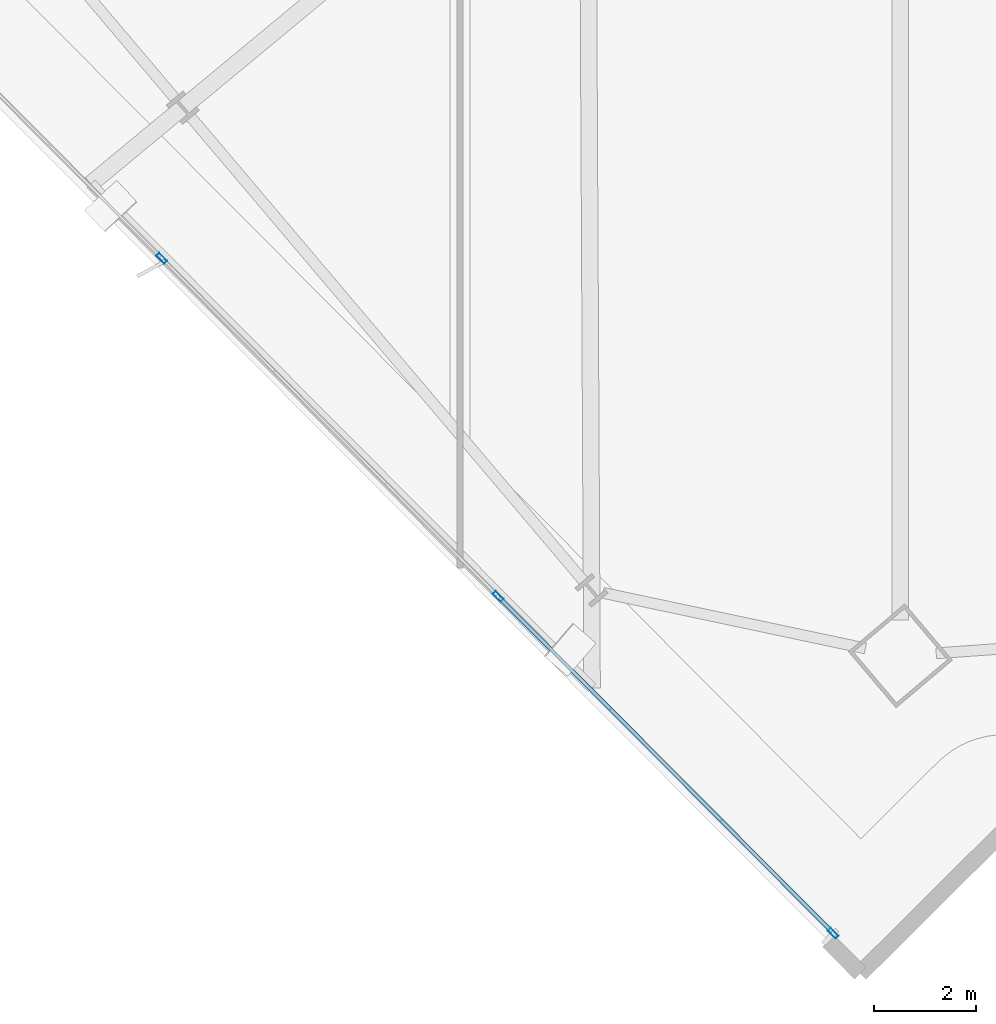
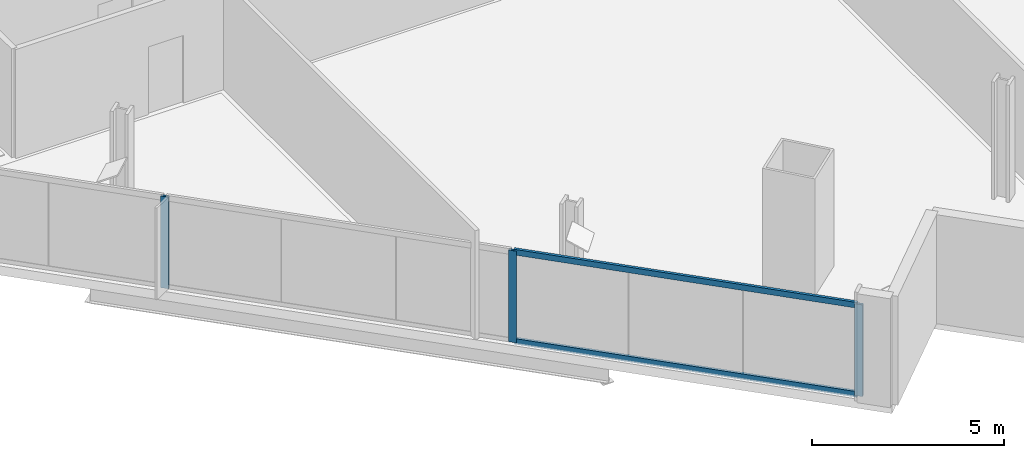
# One storey, part 2 of 32: 5 members, 1 element without a shape of its own.
"""IFC4 building model written with IfcOpenShell, lengths in metres."""

from ifc_helpers import new_model, si_unit, direction, frame, origin, origin_2d, place, context, subcontext, project, spatial, hollow_rectangle, extrude, material, material_profile, profile_set, type_object, element, aggregate, save


model = new_model("IFC4")

# Units and contexts
model_context = context("Model", 3, precision=1e-05, world=origin(), true_north=direction((0.0, 1.0)))
body_context = subcontext(model_context, "Body", "Model", "MODEL_VIEW")
ifc_project = project(units=[si_unit("LENGTHUNIT", "METRE"), si_unit("AREAUNIT", "SQUARE_METRE"), si_unit("VOLUMEUNIT", "CUBIC_METRE"), si_unit("PLANEANGLEUNIT", "RADIAN"), si_unit("MASSUNIT", "GRAM", prefix="KILO")], contexts=[model_context])

# Site, building, storey
site_placement = place(None, origin())
site = spatial("IfcSite", under=ifc_project, at=site_placement, CompositionType="ELEMENT")
building_placement = place(site_placement, origin())
building = spatial("IfcBuilding", under=site, at=building_placement, Name="Haldenkirk Collegiate Tower", CompositionType="ELEMENT")
storey_placement = place(building_placement, frame((0.0, 0.0, 178.199951171875)))
storey = spatial("IfcBuildingStorey", under=building, at=storey_placement, Name="L44", CompositionType="ELEMENT", Elevation=178.199951171875)

# Curtain wall, members
ifc_material = material(Name="Anodised architectural bronze aluminium", Category="aluminium")
curtain_wall_type = type_object("IfcCurtainWallType", Name="CW-SYS1-CONVEX-LOW", PredefinedType="USERDEFINED", material=ifc_material)
curtain_wall_placement = place(storey_placement, origin())
curtain_wall = element("IfcCurtainWall", 1, at=curtain_wall_placement, inside=storey, type_object=curtain_wall_type, Name="L44 Lower tower convex bronze-framed unitised curtain wall", ObjectType="UNITISED CURTAIN WALL", PredefinedType="USERDEFINED")
ifc_material_profile_1 = material_profile(ifc_material, hollow_rectangle(XDim=0.080078125, YDim=0.219970703125, WallThickness=0.0048828125, at=origin_2d()), Name="CW-MUL-1A")
ifc_profile_set_1 = profile_set([ifc_material_profile_1], Name="Anodised architectural bronze aluminium")
member_type_1 = type_object("IfcMemberType", Name="CW-MUL-1A", PredefinedType="MULLION", material=ifc_profile_set_1)
member_1_placement = place(storey_placement, frame((31.828857421875, -4.787353515625, 0.0), z_axis=(0.0, 0.0, 1.0), x_axis=(-0.708953598447, -0.705255127772, 0.0)))
member_1 = element("IfcMember", 2, at=member_1_placement, type_object=member_type_1, Name="CW-1A mullion 1", PredefinedType="MULLION", context=body_context, shape_type="SweptSolid", body=[
    extrude(hollow_rectangle(XDim=0.080078125, YDim=0.219970703125, WallThickness=0.0048828125, at=origin_2d()), origin(), (0.0, 0.0, 1.0), 2.9111328125),
])
member_2_placement = place(storey_placement, frame((25.249755859375, 1.826416015625, 0.0), z_axis=(0.0, 0.0, 1.0), x_axis=(-0.708953598447, -0.705255127772, 0.0)))
member_2 = element("IfcMember", 3, at=member_2_placement, type_object=member_type_1, Name="CW-1A mullion 2", PredefinedType="MULLION", context=body_context, shape_type="SweptSolid", body=[
    extrude(hollow_rectangle(XDim=0.080078125, YDim=0.219970703125, WallThickness=0.0048828125, at=origin_2d()), origin(), (0.0, 0.0, 1.0), 2.9111328125),
])
member_3_placement = place(storey_placement, frame((18.642333984375, 8.468505859375, 0.0), z_axis=(0.0, 0.0, 1.0), x_axis=(-0.708953598447, -0.705255127772, 0.0)))
member_3 = element("IfcMember", 4, at=member_3_placement, type_object=member_type_1, Name="CW-1A mullion 3", PredefinedType="MULLION", context=body_context, shape_type="SweptSolid", body=[
    extrude(hollow_rectangle(XDim=0.080078125, YDim=0.219970703125, WallThickness=0.0048828125, at=origin_2d()), origin(), (0.0, 0.0, 1.0), 2.9111328125),
])
ifc_material_profile_2 = material_profile(ifc_material, hollow_rectangle(XDim=0.080078125, YDim=0.179931640625, WallThickness=0.0048828125, at=origin_2d()), Name="CW-TRN-1A")
ifc_profile_set_2 = profile_set([ifc_material_profile_2], Name="Anodised architectural bronze aluminium")
member_type_2 = type_object("IfcMemberType", Name="CW-TRN-1A", PredefinedType="USERDEFINED", material=ifc_profile_set_2)
member_4_placement = place(storey_placement, frame((31.800537109375, -4.7587890625, 0.0400390625), z_axis=(-0.705256556117, 0.708952177551, 0.0), x_axis=(-0.708952177551, -0.705256556117, 0.0)))
member_4 = element("IfcMember", 5, at=member_4_placement, type_object=member_type_2, Name="CW-1A transom 1.1", ObjectType="TRANSOM", PredefinedType="USERDEFINED", context=body_context, shape_type="SweptSolid", body=[
    extrude(hollow_rectangle(XDim=0.080078125, YDim=0.179931640625, WallThickness=0.0048828125, at=origin_2d()), origin(), (0.0, 0.0, 1.0), 9.248779296875),
])
member_5_placement = place(storey_placement, frame((31.800537109375, -4.7587890625, 2.87109375), z_axis=(-0.705256556117, 0.708952177551, 0.0), x_axis=(-0.708952177551, -0.705256556117, 0.0)))
member_5 = element("IfcMember", 6, at=member_5_placement, type_object=member_type_2, Name="CW-1A transom 1.2", ObjectType="TRANSOM", PredefinedType="USERDEFINED", context=body_context, shape_type="SweptSolid", body=[
    extrude(hollow_rectangle(XDim=0.080078125, YDim=0.179931640625, WallThickness=0.0048828125, at=origin_2d()), origin(), (0.0, 0.0, 1.0), 9.248779296875),
])
aggregate(curtain_wall, [member_1, member_2, member_3, member_4, member_5])

save(model, "model.ifc")
